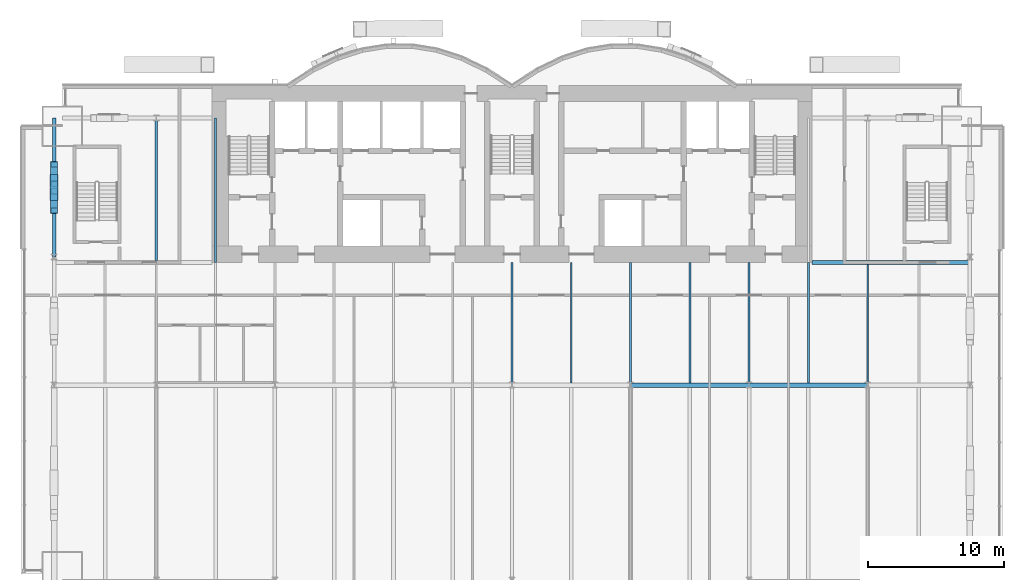
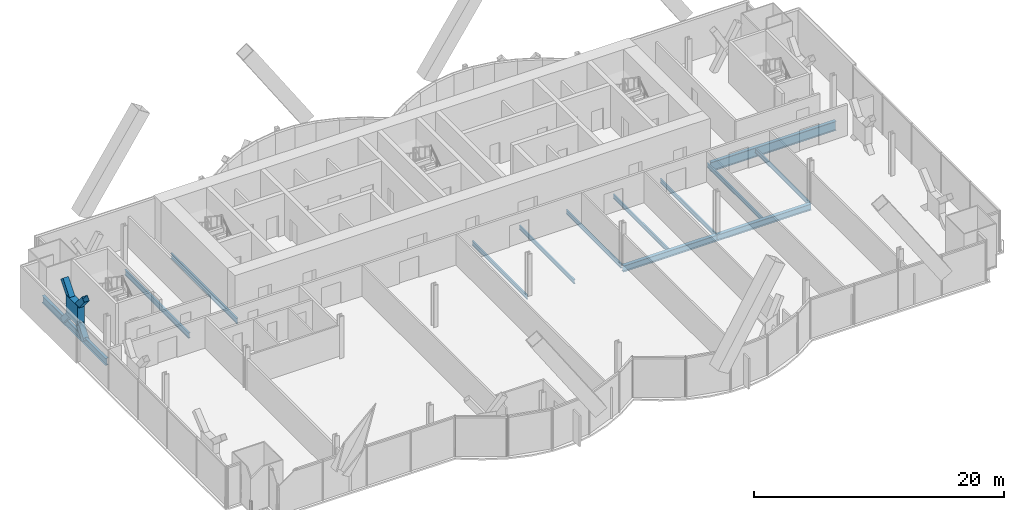
# One storey, part 10 of 22: 13 beams, 5 members.
"""IFC4 building model written with IfcOpenShell, lengths in metres."""

from ifc_helpers import new_model, si_unit, direction, frame, origin, origin_2d, place, context, subcontext, project, spatial, rectangle, hollow_rectangle, i_section, extrude, material, material_profile, profile_set, type_object, element, save


model = new_model("IFC4")

# Units and contexts
model_context = context("Model", 3, precision=1e-05, world=origin(), true_north=direction((0.0, 1.0)))
body_context = subcontext(model_context, "Body", "Model", "MODEL_VIEW")
ifc_project = project(units=[si_unit("LENGTHUNIT", "METRE"), si_unit("AREAUNIT", "SQUARE_METRE"), si_unit("VOLUMEUNIT", "CUBIC_METRE"), si_unit("PLANEANGLEUNIT", "RADIAN"), si_unit("MASSUNIT", "GRAM", prefix="KILO")], contexts=[model_context])

# Site, building, storey
site_placement = place(None, origin())
site = spatial("IfcSite", under=ifc_project, at=site_placement, CompositionType="ELEMENT")
building_placement = place(site_placement, origin())
building = spatial("IfcBuilding", under=site, at=building_placement, Name="Bicima Exchange Tower", CompositionType="ELEMENT")
storey_placement = place(building_placement, frame((0.0, 0.0, 94.0)))
storey = spatial("IfcBuildingStorey", under=building, at=storey_placement, Name="L19", CompositionType="ELEMENT", Elevation=94.0)

# Member
ifc_material_1 = material(Name="Steel ASTM A572 Gr 50", Category="steel")
ifc_material_profile_1 = material_profile(ifc_material_1, rectangle(XDim=0.60791015625, YDim=1.891845703125, at=origin_2d()))
ifc_profile_set_1 = profile_set([ifc_material_profile_1], Name="Steel ASTM A572 Gr 50")
member_type_1 = type_object("IfcMemberType", Name="Brace crossing node 608 x 1892", PredefinedType="POST", material=ifc_profile_set_1)
member_placement = place(storey_placement, frame((-33.60009765625, -7.5, 0.617431640625), z_axis=(0.0, 0.0, 1.0), x_axis=(1.0, 0.0, 0.0)))
element("IfcMember", 1, at=member_placement, inside=storey, type_object=member_type_1, Name="Brace crossing node block", PredefinedType="POST", context=body_context, shape_type="SweptSolid", body=[
    extrude(rectangle(XDim=0.60791015625, YDim=1.891845703125, at=origin_2d()), origin(), (0.0, 0.0, 1.0), 1.871826171875),
])

# Beams
ifc_material_2 = material(Name="Steel ASTM A992 Gr 50", Category="steel")
ifc_material_profile_2 = material_profile(ifc_material_2, i_section(OverallWidth=0.3046875, OverallDepth=0.911865234375, WebThickness=0.015869140625, FlangeThickness=0.02392578125, at=origin_2d()))
ifc_profile_set_2 = profile_set([ifc_material_profile_2], Name="Steel ASTM A992 Gr 50")
beam_type_1 = type_object("IfcBeamType", Name="Core-line girder W36x150", PredefinedType="BEAM", material=ifc_profile_set_2)
beam_1_placement = place(storey_placement, frame((22.0, -13.0, -0.60595703125), z_axis=(1.0, 0.0, 0.0), x_axis=(0.0, 1.0, 0.0)))
element("IfcBeam", 2, at=beam_1_placement, inside=storey, type_object=beam_type_1, Name="Core-line girder", PredefinedType="BEAM", context=body_context, shape_type="SweptSolid", body=[
    extrude(i_section(OverallWidth=0.3046875, OverallDepth=0.911865234375, WebThickness=0.015869140625, FlangeThickness=0.02392578125, at=origin_2d()), origin(), (0.0, 0.0, 1.0), 11.60009765625),
])
ifc_material_profile_3 = material_profile(ifc_material_2, i_section(OverallWidth=0.256591796875, OverallDepth=0.693359375, WebThickness=0.014404296875, FlangeThickness=0.023681640625, at=origin_2d()))
ifc_profile_set_3 = profile_set([ifc_material_profile_3], Name="Steel ASTM A992 Gr 50")
beam_type_2 = type_object("IfcBeamType", Name="End girder W27x114", PredefinedType="BEAM", material=ifc_profile_set_3)
beam_2_placement = place(storey_placement, frame((-33.60009765625, -2.39990234375, -0.49658203125), z_axis=(0.0, -1.0, 0.0), x_axis=(1.0, 0.0, 0.0)))
element("IfcBeam", 3, at=beam_2_placement, inside=storey, type_object=beam_type_2, Name="End girder", PredefinedType="BEAM", context=body_context, shape_type="SweptSolid", body=[
    extrude(i_section(OverallWidth=0.256591796875, OverallDepth=0.693359375, WebThickness=0.014404296875, FlangeThickness=0.023681640625, at=origin_2d()), origin(), (0.0, 0.0, 1.0), 10.2001953125),
])
ifc_material_profile_4 = material_profile(ifc_material_2, i_section(OverallWidth=0.140380859375, OverallDepth=0.40380859375, WebThickness=0.007080078125, FlangeThickness=0.01123046875, at=origin_2d()))
ifc_profile_set_4 = profile_set([ifc_material_profile_4], Name="Steel ASTM A992 Gr 50")
beam_type_3 = type_object("IfcBeamType", Name="Floor beam W16x31", PredefinedType="JOIST", material=ifc_profile_set_4)
for number, where, z_axis, x_axis, name in (
    (4, (0.0, -13.0, -0.351806640625), (0.0, -1.0, 0.0), (1.0, 0.0, 0.0), "Floor beam"),
    (5, (4.35009765625, -13.0, -0.351806640625), (0.0, -1.0, 0.0), (1.0, 0.0, 0.0), "Floor beam"),
    (6, (8.699951171875, -13.0, -0.351806640625), (0.0, -1.0, 0.0), (1.0, 0.0, 0.0), "Floor beam"),
    (7, (13.050048828125, -13.0, -0.351806640625), (0.0, -1.0, 0.0), (1.0, 0.0, 0.0), "Floor beam"),
    (8, (17.39990234375, -13.0, -0.351806640625), (0.0, -1.0, 0.0), (1.0, 0.0, 0.0), "Floor beam"),
    (9, (21.75, -13.0, -0.351806640625), (0.0, -1.0, 0.0), (1.0, 0.0, 0.0), "Floor beam"),
):
    element("IfcBeam", number, at=place(storey_placement, frame(where, z_axis=z_axis, x_axis=x_axis)), inside=storey, type_object=beam_type_3, Name=name, PredefinedType="JOIST", context=body_context, shape_type="SweptSolid", body=[
        extrude(i_section(OverallWidth=0.140380859375, OverallDepth=0.40380859375, WebThickness=0.007080078125, FlangeThickness=0.01123046875, at=origin_2d()), origin(), (0.0, 0.0, 1.0), 8.83740234375),
    ])
beam_3_placement = place(storey_placement, frame((26.10009765625, -13.15234375, -0.351806640625), z_axis=(0.0, -1.0, 0.0), x_axis=(1.0, 0.0, 0.0)))
element("IfcBeam", 10, at=beam_3_placement, inside=storey, type_object=beam_type_3, Name="Floor beam", PredefinedType="JOIST", context=body_context, shape_type="SweptSolid", body=[
    extrude(i_section(OverallWidth=0.140380859375, OverallDepth=0.40380859375, WebThickness=0.007080078125, FlangeThickness=0.01123046875, at=origin_2d()), origin(), (0.0, 0.0, 1.0), 8.68505859375),
])
ifc_material_profile_5 = material_profile(ifc_material_2, i_section(OverallWidth=0.165771484375, OverallDepth=0.5283203125, WebThickness=0.009765625, FlangeThickness=0.013671875, at=origin_2d()))
ifc_profile_set_5 = profile_set([ifc_material_profile_5], Name="Steel ASTM A992 Gr 50")
beam_type_4 = type_object("IfcBeamType", Name="Floor beam W21x50", PredefinedType="JOIST", material=ifc_profile_set_5)
beam_4_placement = place(storey_placement, frame((-26.10009765625, -2.5625, -0.414306640625), z_axis=(0.0, -1.0, 0.0), x_axis=(1.0, 0.0, 0.0)))
element("IfcBeam", 11, at=beam_4_placement, inside=storey, type_object=beam_type_4, Name="Floor beam", PredefinedType="JOIST", context=body_context, shape_type="SweptSolid", body=[
    extrude(i_section(OverallWidth=0.165771484375, OverallDepth=0.5283203125, WebThickness=0.009765625, FlangeThickness=0.013671875, at=origin_2d()), origin(), (0.0, 0.0, 1.0), 10.28515625),
])
beam_5_placement = place(storey_placement, frame((-21.75, -2.39990234375, -0.414306640625), z_axis=(0.0, -1.0, 0.0), x_axis=(1.0, 0.0, 0.0)))
element("IfcBeam", 12, at=beam_5_placement, inside=storey, type_object=beam_type_4, Name="Floor beam", PredefinedType="JOIST", context=body_context, shape_type="SweptSolid", body=[
    extrude(i_section(OverallWidth=0.165771484375, OverallDepth=0.5283203125, WebThickness=0.009765625, FlangeThickness=0.013671875, at=origin_2d()), origin(), (0.0, 0.0, 1.0), 10.60009765625),
])

# Members
ifc_material_profile_6 = material_profile(ifc_material_1, hollow_rectangle(XDim=0.508056640625, YDim=0.508056640625, WallThickness=0.0146484375, at=origin_2d()))
ifc_profile_set_6 = profile_set([ifc_material_profile_6], Name="Steel ASTM A572 Gr 50")
member_type_2 = type_object("IfcMemberType", Name="Mega brace HSS20x20x5/8", PredefinedType="BRACE", material=ifc_profile_set_6)
for number, where, z_axis, x_axis, name in (
    (13, (-33.60009765625, -5.800048828125, -0.49658203125), (0.0, -0.638345341101, 0.769750105875), (1.0, 0.0, 0.0), "Mega brace west end"),
    (14, (-33.60009765625, -7.773193359375, 1.8828125), (0.0, -0.638345341101, 0.769750105875), (1.0, 0.0, 0.0), "Mega brace west end"),
    (15, (-33.60009765625, -9.199951171875, -0.49658203125), (0.0, 0.638345341101, 0.769750105875), (-1.0, 0.0, 0.0), "Mega brace west end"),
    (16, (-33.60009765625, -7.226806640625, 1.8828125), (0.0, 0.638345341101, 0.769750105875), (-1.0, 0.0, 0.0), "Mega brace west end"),
):
    element("IfcMember", number, at=place(storey_placement, frame(where, z_axis=z_axis, x_axis=x_axis)), inside=storey, type_object=member_type_2, Name=name, PredefinedType="BRACE", context=body_context, shape_type="SweptSolid", body=[
        extrude(hollow_rectangle(XDim=0.508056640625, YDim=0.508056640625, WallThickness=0.0146484375, at=origin_2d()), origin(), (0.0, 0.0, 1.0), 2.235107421875),
    ])

# Beams
ifc_material_profile_7 = material_profile(ifc_material_2, i_section(OverallWidth=0.3251953125, OverallDepth=0.612060546875, WebThickness=0.0126953125, FlangeThickness=0.01904296875, at=origin_2d()))
ifc_profile_set_7 = profile_set([ifc_material_profile_7], Name="Steel ASTM A992 Gr 50")
beam_type_5 = type_object("IfcBeamType", Name="Row girder W24x104", PredefinedType="BEAM", material=ifc_profile_set_7)
beam_6_placement = place(storey_placement, frame((8.699951171875, -22.0, -0.4560546875), z_axis=(1.0, 0.0, 0.0), x_axis=(0.0, 1.0, 0.0)))
element("IfcBeam", 17, at=beam_6_placement, inside=storey, type_object=beam_type_5, Name="Row girder", PredefinedType="BEAM", context=body_context, shape_type="SweptSolid", body=[
    extrude(i_section(OverallWidth=0.3251953125, OverallDepth=0.612060546875, WebThickness=0.0126953125, FlangeThickness=0.01904296875, at=origin_2d()), origin(), (0.0, 0.0, 1.0), 8.699951171875),
])
beam_7_placement = place(storey_placement, frame((17.39990234375, -22.0, -0.4560546875), z_axis=(1.0, 0.0, 0.0), x_axis=(0.0, 1.0, 0.0)))
element("IfcBeam", 18, at=beam_7_placement, inside=storey, type_object=beam_type_5, Name="Row girder", PredefinedType="BEAM", context=body_context, shape_type="SweptSolid", body=[
    extrude(i_section(OverallWidth=0.3251953125, OverallDepth=0.612060546875, WebThickness=0.0126953125, FlangeThickness=0.01904296875, at=origin_2d()), origin(), (0.0, 0.0, 1.0), 8.7001953125),
])

save(model, "model.ifc")
